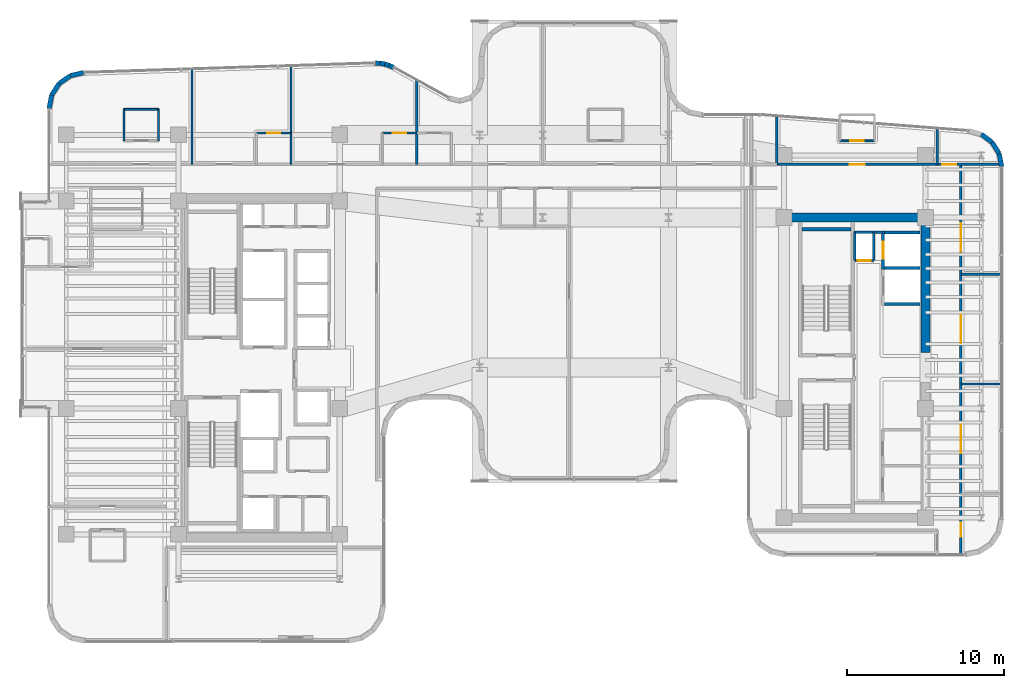
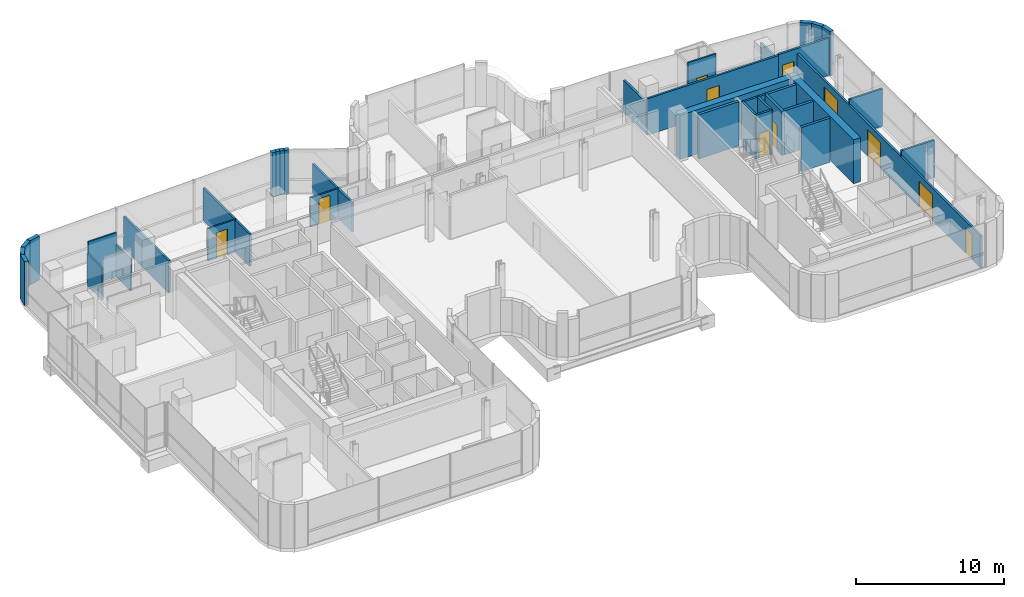
# One storey, part 30 of 36: 38 walls, 11 doors, 11 openings.
"""IFC4 building model written with IfcOpenShell, lengths in metres."""

from ifc_helpers import new_model, si_unit, direction, frame, frame_2d, origin, place, context, subcontext, project, spatial, rectangle, extrude, material, layer, layer_set, type_object, element, fill, save


model = new_model("IFC4")

# Units and contexts
model_context = context("Model", 3, precision=1e-05, world=origin(), true_north=direction((0.0, 1.0)))
body_context = subcontext(model_context, "Body", "Model", "MODEL_VIEW")
ifc_project = project(units=[si_unit("LENGTHUNIT", "METRE"), si_unit("AREAUNIT", "SQUARE_METRE"), si_unit("VOLUMEUNIT", "CUBIC_METRE"), si_unit("PLANEANGLEUNIT", "RADIAN"), si_unit("MASSUNIT", "GRAM", prefix="KILO")], contexts=[model_context])

# Site, building, storey
site_placement = place(None, origin())
site = spatial("IfcSite", under=ifc_project, at=site_placement, CompositionType="ELEMENT")
building_placement = place(site_placement, origin())
building = spatial("IfcBuilding", under=site, at=building_placement, Name="Valdorenza Pilgrim Sanctuary Tower", CompositionType="ELEMENT")
storey_placement = place(building_placement, frame((0.0, 0.0, 176.550048828125)))
storey = spatial("IfcBuildingStorey", under=building, at=storey_placement, Name="L45", CompositionType="ELEMENT", Elevation=176.550048828125)

# Wall, opening, door
ifc_material_1 = material(Name="Acoustic twin-stud gypsum partition", Category="gypsum")
ifc_layer_1 = layer(ifc_material_1, 0.159912109375, Name="Acoustic twin-stud gypsum partition")
ifc_layer_set_1 = layer_set([ifc_layer_1], Name="Acoustic twin-stud gypsum partition")
wall_type_1 = type_object("IfcWallType", Name="WAL-COR-160", PredefinedType="PARTITIONING", material=ifc_layer_set_1)
wall_1_placement = place(storey_placement, frame((20.35009765625, 6.800048828125, 0.0), z_axis=(0.0, 0.0, 1.0), x_axis=(1.0, 0.0, 0.0)))
wall_1 = element("IfcWall", 1, at=wall_1_placement, inside=storey, type_object=wall_type_1, Name="L45 Core B Riser South Wall", PredefinedType="PARTITIONING", context=body_context, shape_type="SweptSolid", body=[
    extrude(rectangle(XDim=1.199951171875, YDim=0.159912109375, at=frame_2d((0.60009765625, 0.0))), origin(), (0.0, 0.0, 1.0), 3.6298828125),
])
opening_1_placement = place(wall_1_placement, frame((0.175048828125, 0.0, 0.0)))
opening_1 = element("IfcOpeningElement", 2, at=opening_1_placement, cuts=wall_1, Name="Opening DR-RS1", PredefinedType="OPENING", context=body_context, shape_type="SweptSolid", body=[
    extrude(rectangle(XDim=0.85009765625, YDim=2.050048828125, at=frame_2d((0.425048828125, 1.02490234375))), frame((0.0, 0.0947265625, 0.0), z_axis=(0.0, -1.0, 0.0), x_axis=(1.0, 0.0, 0.0)), (0.0, 0.0, 1.0), 0.189697265625),
])
ifc_material_2 = material(Name="Painted galvanized steel", Category="steel")
door_type_1 = type_object("IfcDoorType", Name="DR-RSR-850", OperationType="NOTDEFINED", PredefinedType="DOOR", material=ifc_material_2)
door_1_placement = place(opening_1_placement, origin())
door_1 = element("IfcDoor", 3, at=door_1_placement, inside=storey, type_object=door_type_1, Name="L45 Core B Electrical Riser Door", OperationType="SINGLE_SWING_RIGHT", OverallHeight=2.050048828125, OverallWidth=0.85009765625, PredefinedType="DOOR", context=body_context, shape_type="SweptSolid", body=[
    extrude(rectangle(XDim=0.85009765625, YDim=2.050048828125, at=frame_2d((0.425048828125, 1.02490234375))), frame((0.0, 0.02490234375, 0.0), z_axis=(0.0, -1.0, 0.0), x_axis=(1.0, 0.0, 0.0)), (0.0, 0.0, 1.0), 0.050048828125),
])
fill(opening_1, door_1)

# Walls
for number, where, z_axis, x_axis, name in (
    (4, (21.550048828125, 6.800048828125, 0.0), (0.0, 0.0, 1.0), (0.0, 1.0, 0.0), "L45 Core B Riser East Wall"),
    (5, (20.35009765625, 6.800048828125, 0.0), (0.0, 0.0, 1.0), (0.0, 1.0, 0.0), "L45 Core B Riser West Wall"),
):
    element("IfcWall", number, at=place(storey_placement, frame(where, z_axis=z_axis, x_axis=x_axis)), inside=storey, type_object=wall_type_1, Name=name, PredefinedType="PARTITIONING", context=body_context, shape_type="SweptSolid", body=[
        extrude(rectangle(XDim=1.800048828125, YDim=0.159912109375, at=frame_2d((0.89990234375, 0.0))), origin(), (0.0, 0.0, 1.0), 3.6298828125),
    ])
wall_2_placement = place(storey_placement, frame((20.300048828125, 8.60009765625, 0.0), z_axis=(0.0, 0.0, 1.0), x_axis=(1.0, 0.0, 0.0)))
element("IfcWall", 6, at=wall_2_placement, inside=storey, type_object=wall_type_1, Name="L45 Core B Lift Hall North End Wall", PredefinedType="PARTITIONING", context=body_context, shape_type="SweptSolid", body=[
    extrude(rectangle(XDim=1.820068359375, YDim=0.159912109375, at=frame_2d((0.91015625, 0.0))), origin(), (0.0, 0.0, 1.0), 3.6298828125),
])

# Wall, opening, door
wall_3_placement = place(storey_placement, frame((15.39990234375, 12.919921875, 0.0), z_axis=(0.0, 0.0, 1.0), x_axis=(1.0, 0.0, 0.0)))
wall_3 = element("IfcWall", 7, at=wall_3_placement, inside=storey, type_object=wall_type_1, Name="L45 Wing B North Corridor Wall", PredefinedType="PARTITIONING", context=body_context, shape_type="SweptSolid", body=[
    extrude(rectangle(XDim=10.2001953125, YDim=0.159912109375, at=frame_2d((5.10009765625, 0.0))), origin(), (0.0, 0.0, 1.0), 3.00390625),
])
opening_2_placement = place(wall_3_placement, frame((4.625, 0.0, 0.0)))
opening_2 = element("IfcOpeningElement", 8, at=opening_2_placement, cuts=wall_3, Name="Opening DR-UN1", PredefinedType="OPENING", context=body_context, shape_type="SweptSolid", body=[
    extrude(rectangle(XDim=0.949951171875, YDim=2.14990234375, at=frame_2d((0.47509765625, 1.074951171875))), frame((0.0, 0.0947265625, 0.0), z_axis=(0.0, -1.0, 0.0), x_axis=(1.0, 0.0, 0.0)), (0.0, 0.0, 1.0), 0.189697265625),
])
ifc_material_3 = material(Name="Solid-core European oak timber", Category="wood")
door_type_2 = type_object("IfcDoorType", Name="DR-UNIT-950", OperationType="NOTDEFINED", PredefinedType="DOOR", material=ifc_material_3)
door_2_placement = place(opening_2_placement, frame((0.949951171875, 0.0, 0.0), z_axis=(0.0, 0.0, 1.0), x_axis=(-1.0, 0.0, 0.0)))
door_2 = element("IfcDoor", 9, at=door_2_placement, inside=storey, type_object=door_type_2, Name="L45 East North Guest Room L45-EN1 Entrance Door", OperationType="SINGLE_SWING_LEFT", OverallHeight=2.14990234375, OverallWidth=0.949951171875, PredefinedType="DOOR", context=body_context, shape_type="SweptSolid", body=[
    extrude(rectangle(XDim=0.949951171875, YDim=2.14990234375, at=frame_2d((0.47509765625, 1.074951171875))), frame((0.0, 0.02490234375, 0.0), z_axis=(0.0, -1.0, 0.0), x_axis=(1.0, 0.0, 0.0)), (0.0, 0.0, 1.0), 0.050048828125),
])
fill(opening_2, door_2)

# Walls
wall_4_placement = place(storey_placement, frame((15.39990234375, 12.919921875, 0.0), z_axis=(0.0, 0.0, 1.0), x_axis=(0.0, 1.0, 0.0)))
element("IfcWall", 10, at=wall_4_placement, inside=storey, type_object=wall_type_1, Name="L45 Wing B North West Wall", PredefinedType="PARTITIONING", context=body_context, shape_type="SweptSolid", body=[
    extrude(rectangle(XDim=3.08447265625, YDim=0.159912109375, at=frame_2d((1.542236328125, 0.0))), origin(), (0.0, 0.0, 1.0), 2.6650390625),
])
wall_5_placement = place(storey_placement, frame((25.60009765625, 12.919921875, 0.0), z_axis=(0.0, 0.0, 1.0), x_axis=(0.0, 1.0, 0.0)))
element("IfcWall", 11, at=wall_5_placement, inside=storey, type_object=wall_type_1, Name="L45 Wing B North East Wall", PredefinedType="PARTITIONING", context=body_context, shape_type="SweptSolid", body=[
    extrude(rectangle(XDim=2.294921875, YDim=0.159912109375, at=frame_2d((1.1474609375, 0.0))), origin(), (0.0, 0.0, 1.0), 2.6650390625),
])

# Wall, openings, doors
wall_6_placement = place(storey_placement, frame((27.10009765625, -11.889892578125, 0.0), z_axis=(0.0, 0.0, 1.0), x_axis=(0.0, 1.0, 0.0)))
wall_6 = element("IfcWall", 12, at=wall_6_placement, inside=storey, type_object=wall_type_1, Name="L45 Wing B East Corridor Wall", PredefinedType="PARTITIONING", context=body_context, shape_type="SweptSolid", body=[
    extrude(rectangle(XDim=24.809814453125, YDim=0.159912109375, at=frame_2d((12.40478515625, 0.0))), origin(), (0.0, 0.0, 1.0), 2.6650390625),
])
opening_3_placement = place(wall_6_placement, frame((1.1201171875, 0.0, 0.0)))
opening_3 = element("IfcOpeningElement", 13, at=opening_3_placement, cuts=wall_6, Name="Opening DR-RM1", PredefinedType="OPENING", context=body_context, shape_type="SweptSolid", body=[
    extrude(rectangle(XDim=0.89990234375, YDim=2.10009765625, at=frame_2d((0.449951171875, 1.050048828125))), frame((0.0, 0.0947265625, 0.0), z_axis=(0.0, -1.0, 0.0), x_axis=(1.0, 0.0, 0.0)), (0.0, 0.0, 1.0), 0.189697265625),
])
opening_4_placement = place(wall_6_placement, frame((6.4599609375, 0.0, 0.0)))
opening_4 = element("IfcOpeningElement", 14, at=opening_4_placement, cuts=wall_6, Name="Opening DR-HL1", PredefinedType="OPENING", context=body_context, shape_type="SweptSolid", body=[
    extrude(rectangle(XDim=1.800048828125, YDim=2.14990234375, at=frame_2d((0.89990234375, 1.074951171875))), frame((0.0, 0.0947265625, 0.0), z_axis=(0.0, -1.0, 0.0), x_axis=(1.0, 0.0, 0.0)), (0.0, 0.0, 1.0), 0.189697265625),
])
opening_5_placement = place(wall_6_placement, frame((13.43994140625, 0.0, 0.0)))
opening_5 = element("IfcOpeningElement", 15, at=opening_5_placement, cuts=wall_6, Name="Opening DR-HL1", PredefinedType="OPENING", context=body_context, shape_type="SweptSolid", body=[
    extrude(rectangle(XDim=1.800048828125, YDim=2.14990234375, at=frame_2d((0.89990234375, 1.074951171875))), frame((0.0, 0.0947265625, 0.0), z_axis=(0.0, -1.0, 0.0), x_axis=(1.0, 0.0, 0.0)), (0.0, 0.0, 1.0), 0.189697265625),
])
opening_6_placement = place(wall_6_placement, frame((19.27001953125, 0.0, 0.0)))
opening_6 = element("IfcOpeningElement", 16, at=opening_6_placement, cuts=wall_6, Name="Opening DR-HL1", PredefinedType="OPENING", context=body_context, shape_type="SweptSolid", body=[
    extrude(rectangle(XDim=1.800048828125, YDim=2.14990234375, at=frame_2d((0.89990234375, 1.074951171875))), frame((0.0, 0.0947265625, 0.0), z_axis=(0.0, -1.0, 0.0), x_axis=(1.0, 0.0, 0.0)), (0.0, 0.0, 1.0), 0.189697265625),
])
ifc_material_4 = material(Name="Acoustic oak and vision-glass double door", Category="glass")
door_type_3 = type_object("IfcDoorType", Name="DR-HALL-1800", OperationType="NOTDEFINED", PredefinedType="DOOR", material=ifc_material_4)
door_3_placement = place(opening_4_placement, origin())
door_3 = element("IfcDoor", 17, at=door_3_placement, inside=storey, type_object=door_type_3, Name="L45 East Reading Lounge L45-EB2 Door", OperationType="DOUBLE_DOOR_SINGLE_SWING", OverallHeight=2.14990234375, OverallWidth=1.800048828125, PredefinedType="DOOR", context=body_context, shape_type="SweptSolid", body=[
    extrude(rectangle(XDim=1.800048828125, YDim=2.14990234375, at=frame_2d((0.89990234375, 1.074951171875))), frame((0.0, 0.02490234375, 0.0), z_axis=(0.0, -1.0, 0.0), x_axis=(1.0, 0.0, 0.0)), (0.0, 0.0, 1.0), 0.050048828125),
])
fill(opening_4, door_3)
door_4_placement = place(opening_5_placement, frame((1.800048828125, 0.0, 0.0), z_axis=(0.0, 0.0, 1.0), x_axis=(-1.0, 0.0, 0.0)))
door_4 = element("IfcDoor", 18, at=door_4_placement, inside=storey, type_object=door_type_3, Name="L45 East Reading Lounge L45-EB3 Door", OperationType="DOUBLE_DOOR_SINGLE_SWING", OverallHeight=2.14990234375, OverallWidth=1.800048828125, PredefinedType="DOOR", context=body_context, shape_type="SweptSolid", body=[
    extrude(rectangle(XDim=1.800048828125, YDim=2.14990234375, at=frame_2d((0.89990234375, 1.074951171875))), frame((0.0, 0.02490234375, 0.0), z_axis=(0.0, -1.0, 0.0), x_axis=(1.0, 0.0, 0.0)), (0.0, 0.0, 1.0), 0.050048828125),
])
fill(opening_5, door_4)
door_5_placement = place(opening_6_placement, origin())
door_5 = element("IfcDoor", 19, at=door_5_placement, inside=storey, type_object=door_type_3, Name="L45 East Reading Lounge L45-EB4 Door", OperationType="DOUBLE_DOOR_SINGLE_SWING", OverallHeight=2.14990234375, OverallWidth=1.800048828125, PredefinedType="DOOR", context=body_context, shape_type="SweptSolid", body=[
    extrude(rectangle(XDim=1.800048828125, YDim=2.14990234375, at=frame_2d((0.89990234375, 1.074951171875))), frame((0.0, 0.02490234375, 0.0), z_axis=(0.0, -1.0, 0.0), x_axis=(1.0, 0.0, 0.0)), (0.0, 0.0, 1.0), 0.050048828125),
])
fill(opening_6, door_5)
door_type_4 = type_object("IfcDoorType", Name="DR-ROOM-900", OperationType="NOTDEFINED", PredefinedType="DOOR", material=ifc_material_3)
door_6_placement = place(opening_3_placement, frame((0.89990234375, 0.0, 0.0), z_axis=(0.0, 0.0, 1.0), x_axis=(-1.0, 0.0, 0.0)))
door_6 = element("IfcDoor", 20, at=door_6_placement, inside=storey, type_object=door_type_4, Name="L45 East Reading Lounge L45-EB1 Door", OperationType="SINGLE_SWING_LEFT", OverallHeight=2.10009765625, OverallWidth=0.89990234375, PredefinedType="DOOR", context=body_context, shape_type="SweptSolid", body=[
    extrude(rectangle(XDim=0.89990234375, YDim=2.10009765625, at=frame_2d((0.449951171875, 1.050048828125))), frame((0.0, 0.02490234375, 0.0), z_axis=(0.0, -1.0, 0.0), x_axis=(1.0, 0.0, 0.0)), (0.0, 0.0, 1.0), 0.050048828125),
])
fill(opening_3, door_6)

# Wall, opening, door
wall_7_placement = place(storey_placement, frame((25.60009765625, 12.919921875, 0.0), z_axis=(0.0, 0.0, 1.0), x_axis=(1.0, 0.0, 0.0)))
wall_7 = element("IfcWall", 21, at=wall_7_placement, inside=storey, type_object=wall_type_1, Name="L45 East Wing NE Corner South Wall", PredefinedType="PARTITIONING", context=body_context, shape_type="SweptSolid", body=[
    extrude(rectangle(XDim=3.93408203125, YDim=0.159912109375, at=frame_2d((1.967041015625, 0.0))), origin(), (0.0, 0.0, 1.0), 3.075927734375),
])
opening_7_placement = place(wall_7_placement, frame((0.300048828125, 0.0, 0.0)))
opening_7 = element("IfcOpeningElement", 22, at=opening_7_placement, cuts=wall_7, Name="Opening DR-RM1", PredefinedType="OPENING", context=body_context, shape_type="SweptSolid", body=[
    extrude(rectangle(XDim=0.89990234375, YDim=2.10009765625, at=frame_2d((0.449951171875, 1.050048828125))), frame((0.0, 0.0947265625, 0.0), z_axis=(0.0, -1.0, 0.0), x_axis=(1.0, 0.0, 0.0)), (0.0, 0.0, 1.0), 0.189697265625),
])
door_7_placement = place(opening_7_placement, origin())
door_7 = element("IfcDoor", 23, at=door_7_placement, inside=storey, type_object=door_type_4, Name="L45 East North Alcove Office L45 Door", OperationType="SINGLE_SWING_RIGHT", OverallHeight=2.10009765625, OverallWidth=0.89990234375, PredefinedType="DOOR", context=body_context, shape_type="SweptSolid", body=[
    extrude(rectangle(XDim=0.89990234375, YDim=2.10009765625, at=frame_2d((0.449951171875, 1.050048828125))), frame((0.0, 0.02490234375, 0.0), z_axis=(0.0, -1.0, 0.0), x_axis=(1.0, 0.0, 0.0)), (0.0, 0.0, 1.0), 0.050048828125),
])
fill(opening_7, door_7)

# Walls
ifc_material_5 = material(Name="Concrete C50/60", Category="concrete")
ifc_layer_2 = layer(ifc_material_5, 0.550048828125, Name="Concrete C50/60")
ifc_layer_set_2 = layer_set([ifc_layer_2], Name="Concrete C50/60")
wall_type_2 = type_object("IfcWallType", Name="WAL-COR-550", PredefinedType="SHEAR", material=ifc_layer_set_2)
wall_8_placement = place(storey_placement, frame((24.85009765625, 0.949951171875, 0.0), z_axis=(0.0, 0.0, 1.0), x_axis=(0.0, 1.0, 0.0)))
element("IfcWall", 24, at=wall_8_placement, inside=storey, type_object=wall_type_2, Name="L45 Split Core B Shear Wall EN", PredefinedType="SHEAR", context=body_context, shape_type="SweptSolid", body=[
    extrude(rectangle(XDim=8.875, YDim=0.550048828125, at=frame_2d((4.4375, 0.0))), origin(), (0.0, 0.0, 1.0), 3.6298828125),
])
wall_9_placement = place(storey_placement, frame((15.85009765625, 9.550048828125, 0.0), z_axis=(0.0, 0.0, 1.0), x_axis=(1.0, 0.0, 0.0)))
element("IfcWall", 25, at=wall_9_placement, inside=storey, type_object=wall_type_2, Name="L45 Split Core B Shear Wall N", PredefinedType="SHEAR", context=body_context, shape_type="SweptSolid", body=[
    extrude(rectangle(XDim=9.0, YDim=0.550048828125, at=frame_2d((4.5, 0.0))), origin(), (0.0, 0.0, 1.0), 3.6298828125),
])
ifc_material_6 = material(Name="Honed travertine limestone", Category="masonry")
ifc_layer_3 = layer(ifc_material_6, 0.300048828125, Name="Honed travertine limestone")
ifc_layer_set_3 = layer_set([ifc_layer_3], Name="Honed travertine limestone")
wall_type_3 = type_object("IfcWallType", Name="WAL-EXT-300", PredefinedType="SOLIDWALL", material=ifc_layer_set_3)
wall_10_placement = place(storey_placement, frame((-30.889892578125, 16.46630859375, 0.0), z_axis=(0.0, 0.0, 1.0), x_axis=(0.191128020887, 0.981565117367, 0.0)))
element("IfcWall", 26, at=wall_10_placement, inside=storey, type_object=wall_type_3, Name="L45 Rounded Wind-Corner Stone Pier 2", PredefinedType="SOLIDWALL", context=body_context, shape_type="SweptSolid", body=[
    extrude(rectangle(XDim=0.88525390625, YDim=0.300048828125, at=frame_2d((0.442626953125, 0.0))), origin(), (0.0, 0.0, 1.0), 3.6298828125),
])
wall_11_placement = place(storey_placement, frame((-30.720703125, 17.335205078125, 0.0), z_axis=(0.0, 0.0, 1.0), x_axis=(0.545322000684, 0.838226649284, 0.0)))
element("IfcWall", 27, at=wall_11_placement, inside=storey, type_object=wall_type_3, Name="L45 Rounded Wind-Corner Stone Pier 3", PredefinedType="SOLIDWALL", context=body_context, shape_type="SweptSolid", body=[
    extrude(rectangle(XDim=0.874267578125, YDim=0.300048828125, at=frame_2d((0.43701171875, 0.0))), origin(), (0.0, 0.0, 1.0), 3.6298828125),
])
wall_12_placement = place(storey_placement, frame((-30.243896484375, 18.068115234375, 0.0), z_axis=(0.0, 0.0, 1.0), x_axis=(0.820005059444, 0.572356272339, 0.0)))
element("IfcWall", 28, at=wall_12_placement, inside=storey, type_object=wall_type_3, Name="L45 Rounded Wind-Corner Stone Pier 4", PredefinedType="SOLIDWALL", context=body_context, shape_type="SweptSolid", body=[
    extrude(rectangle(XDim=0.87451171875, YDim=0.300048828125, at=frame_2d((0.437255859375, 0.0))), origin(), (0.0, 0.0, 1.0), 3.6298828125),
])
wall_13_placement = place(storey_placement, frame((-29.52685546875, 18.568603515625, 0.0), z_axis=(0.0, 0.0, 1.0), x_axis=(0.974798570829, 0.223086858218, 0.0)))
element("IfcWall", 29, at=wall_13_placement, inside=storey, type_object=wall_type_3, Name="L45 Rounded Wind-Corner Stone Pier 5", PredefinedType="SOLIDWALL", context=body_context, shape_type="SweptSolid", body=[
    extrude(rectangle(XDim=0.88525390625, YDim=0.300048828125, at=frame_2d((0.442626953125, 0.0))), origin(), (0.0, 0.0, 1.0), 3.6298828125),
])
wall_14_placement = place(storey_placement, frame((-10.157958984375, 19.368408203125, 0.0), z_axis=(0.0, 0.0, 1.0), x_axis=(0.999425494718, -0.03389218949, 0.0)))
element("IfcWall", 30, at=wall_14_placement, inside=storey, type_object=wall_type_3, Name="L45 Rounded Wind-Corner Stone Pier 7", PredefinedType="SOLIDWALL", context=body_context, shape_type="SweptSolid", body=[
    extrude(rectangle(XDim=0.309814453125, YDim=0.300048828125, at=frame_2d((0.15478515625, 0.0))), origin(), (0.0, 0.0, 1.0), 3.6298828125),
])
for number, where, z_axis, x_axis, name in (
    (31, (-9.848388671875, 19.35791015625, 0.0), (0.0, 0.0, 1.0), (0.985894009724, -0.167370850479, 0.0), "L45 Rounded Wind-Corner Stone Pier 8"),
    (32, (-9.54638671875, 19.306640625, 0.0), (0.0, 0.0, 1.0), (0.95479144403, -0.297276467966, 0.0), "L45 Rounded Wind-Corner Stone Pier 9"),
):
    element("IfcWall", number, at=place(storey_placement, frame(where, z_axis=z_axis, x_axis=x_axis)), inside=storey, type_object=wall_type_3, Name=name, PredefinedType="SOLIDWALL", context=body_context, shape_type="SweptSolid", body=[
        extrude(rectangle(XDim=0.306396484375, YDim=0.300048828125, at=frame_2d((0.1533203125, 0.0))), origin(), (0.0, 0.0, 1.0), 3.6298828125),
    ])
wall_15_placement = place(storey_placement, frame((-9.25390625, 19.215576171875, 0.0), z_axis=(0.0, 0.0, 1.0), x_axis=(0.906524902388, -0.42215234377, 0.0)))
element("IfcWall", 33, at=wall_15_placement, inside=storey, type_object=wall_type_3, Name="L45 Rounded Wind-Corner Stone Pier 10", PredefinedType="SOLIDWALL", context=body_context, shape_type="SweptSolid", body=[
    extrude(rectangle(XDim=0.31005859375, YDim=0.300048828125, at=frame_2d((0.155029296875, 0.0))), origin(), (0.0, 0.0, 1.0), 3.6298828125),
])
wall_16_placement = place(storey_placement, frame((28.396484375, 14.838134765625, 0.0), z_axis=(0.0, 0.0, 1.0), x_axis=(0.803847397988, -0.594835574548, 0.0)))
element("IfcWall", 34, at=wall_16_placement, inside=storey, type_object=wall_type_3, Name="L45 Rounded Wind-Corner Stone Pier 34", PredefinedType="SOLIDWALL", context=body_context, shape_type="SweptSolid", body=[
    extrude(rectangle(XDim=0.84912109375, YDim=0.300048828125, at=frame_2d((0.424560546875, 0.0))), origin(), (0.0, 0.0, 1.0), 3.6298828125),
])
wall_17_placement = place(storey_placement, frame((29.0791015625, 14.3330078125, 0.0), z_axis=(0.0, 0.0, 1.0), x_axis=(0.53134147342, -0.847157741288, 0.0)))
element("IfcWall", 35, at=wall_17_placement, inside=storey, type_object=wall_type_3, Name="L45 Rounded Wind-Corner Stone Pier 35", PredefinedType="SOLIDWALL", context=body_context, shape_type="SweptSolid", body=[
    extrude(rectangle(XDim=0.849609375, YDim=0.300048828125, at=frame_2d((0.4248046875, 0.0))), origin(), (0.0, 0.0, 1.0), 3.6298828125),
])
wall_18_placement = place(storey_placement, frame((29.530517578125, 13.61328125, 0.0), z_axis=(0.0, 0.0, 1.0), x_axis=(0.185402686284, -0.982662629756, 0.0)))
element("IfcWall", 36, at=wall_18_placement, inside=storey, type_object=wall_type_3, Name="L45 Rounded Wind-Corner Stone Pier 36", PredefinedType="SOLIDWALL", context=body_context, shape_type="SweptSolid", body=[
    extrude(rectangle(XDim=0.85986328125, YDim=0.300048828125, at=frame_2d((0.429931640625, 0.0))), origin(), (0.0, 0.0, 1.0), 3.6298828125),
])
ifc_material_7 = material(Name="Moisture-resistant gypsum partition", Category="gypsum")
ifc_layer_4 = layer(ifc_material_7, 0.1201171875, Name="Moisture-resistant gypsum partition")
ifc_layer_set_4 = layer_set([ifc_layer_4], Name="Moisture-resistant gypsum partition")
wall_type_4 = type_object("IfcWallType", Name="WAL-INT-120", PredefinedType="PARTITIONING", material=ifc_layer_set_4)
for number, where, z_axis, x_axis, name in (
    (37, (-26.125, 14.419921875, 0.0), (0.0, 0.0, 1.0), (0.0, 1.0, 0.0), "L45 North Guest Room L45-N1 En-suite West Wall"),
    (38, (-23.925048828125, 14.419921875, 0.0), (0.0, 0.0, 1.0), (0.0, 1.0, 0.0), "L45 North Guest Room L45-N1 En-suite East Wall"),
):
    element("IfcWall", number, at=place(storey_placement, frame(where, z_axis=z_axis, x_axis=x_axis)), inside=storey, type_object=wall_type_4, Name=name, PredefinedType="PARTITIONING", context=body_context, shape_type="SweptSolid", body=[
        extrude(rectangle(XDim=2.0, YDim=0.1201171875, at=frame_2d((1.0, 0.0))), origin(), (0.0, 0.0, 1.0), 2.6650390625),
    ])
wall_19_placement = place(storey_placement, frame((-26.125, 16.419921875, 0.0), z_axis=(0.0, 0.0, 1.0), x_axis=(1.0, 0.0, 0.0)))
element("IfcWall", 39, at=wall_19_placement, inside=storey, type_object=wall_type_4, Name="L45 North Guest Room L45-N1 En-suite Back Wall", PredefinedType="PARTITIONING", context=body_context, shape_type="SweptSolid", body=[
    extrude(rectangle(XDim=2.199951171875, YDim=0.1201171875, at=frame_2d((1.10009765625, 0.0))), origin(), (0.0, 0.0, 1.0), 3.6298828125),
])

# Wall, opening, door
wall_20_placement = place(storey_placement, frame((-17.699951171875, 14.919921875, 0.0), z_axis=(0.0, 0.0, 1.0), x_axis=(1.0, 0.0, 0.0)))
wall_20 = element("IfcWall", 40, at=wall_20_placement, inside=storey, type_object=wall_type_4, Name="L45 North Guest Room L45-N2 En-suite Door Wall", PredefinedType="PARTITIONING", context=body_context, shape_type="SweptSolid", body=[
    extrude(rectangle(XDim=2.199951171875, YDim=0.1201171875, at=frame_2d((1.10009765625, 0.0))), origin(), (0.0, 0.0, 1.0), 2.6650390625),
])
opening_8_placement = place(wall_20_placement, frame((0.675048828125, 0.0, 0.0)))
opening_8 = element("IfcOpeningElement", 41, at=opening_8_placement, cuts=wall_20, Name="Opening DR-WC1", PredefinedType="OPENING", context=body_context, shape_type="SweptSolid", body=[
    extrude(rectangle(XDim=0.85009765625, YDim=2.10009765625, at=frame_2d((0.425048828125, 1.050048828125))), frame((0.0, 0.074951171875, 0.0), z_axis=(0.0, -1.0, 0.0), x_axis=(1.0, 0.0, 0.0)), (0.0, 0.0, 1.0), 0.14990234375),
])
ifc_material_8 = material(Name="Moisture-resistant lacquered timber", Category="wood")
door_type_5 = type_object("IfcDoorType", Name="DR-BATH-850", OperationType="NOTDEFINED", PredefinedType="DOOR", material=ifc_material_8)
door_8_placement = place(opening_8_placement, origin())
door_8 = element("IfcDoor", 42, at=door_8_placement, inside=storey, type_object=door_type_5, Name="L45 North Guest Room L45-N2 En-suite Bathroom Door", OperationType="SINGLE_SWING_RIGHT", OverallHeight=2.10009765625, OverallWidth=0.85009765625, PredefinedType="DOOR", context=body_context, shape_type="SweptSolid", body=[
    extrude(rectangle(XDim=0.85009765625, YDim=2.10009765625, at=frame_2d((0.425048828125, 1.050048828125))), frame((0.0, 0.02490234375, 0.0), z_axis=(0.0, -1.0, 0.0), x_axis=(1.0, 0.0, 0.0)), (0.0, 0.0, 1.0), 0.050048828125),
])
fill(opening_8, door_8)

wall_21_placement = place(storey_placement, frame((-9.699951171875, 14.919921875, 0.0), z_axis=(0.0, 0.0, 1.0), x_axis=(1.0, 0.0, 0.0)))
wall_21 = element("IfcWall", 43, at=wall_21_placement, inside=storey, type_object=wall_type_4, Name="L45 North Guest Room L45-N3 En-suite Door Wall", PredefinedType="PARTITIONING", context=body_context, shape_type="SweptSolid", body=[
    extrude(rectangle(XDim=2.199951171875, YDim=0.1201171875, at=frame_2d((1.10009765625, 0.0))), origin(), (0.0, 0.0, 1.0), 2.4150390625),
])
opening_9_placement = place(wall_21_placement, frame((0.675048828125, 0.0, 0.0)))
opening_9 = element("IfcOpeningElement", 44, at=opening_9_placement, cuts=wall_21, Name="Opening DR-WC1", PredefinedType="OPENING", context=body_context, shape_type="SweptSolid", body=[
    extrude(rectangle(XDim=0.85009765625, YDim=2.10009765625, at=frame_2d((0.425048828125, 1.050048828125))), frame((0.0, 0.074951171875, 0.0), z_axis=(0.0, -1.0, 0.0), x_axis=(1.0, 0.0, 0.0)), (0.0, 0.0, 1.0), 0.14990234375),
])
door_9_placement = place(opening_9_placement, origin())
door_9 = element("IfcDoor", 45, at=door_9_placement, inside=storey, type_object=door_type_5, Name="L45 North Guest Room L45-N3 En-suite Bathroom Door", OperationType="SINGLE_SWING_RIGHT", OverallHeight=2.10009765625, OverallWidth=0.85009765625, PredefinedType="DOOR", context=body_context, shape_type="SweptSolid", body=[
    extrude(rectangle(XDim=0.85009765625, YDim=2.10009765625, at=frame_2d((0.425048828125, 1.050048828125))), frame((0.0, 0.02490234375, 0.0), z_axis=(0.0, -1.0, 0.0), x_axis=(1.0, 0.0, 0.0)), (0.0, 0.0, 1.0), 0.050048828125),
])
fill(opening_9, door_9)

wall_22_placement = place(storey_placement, frame((19.39990234375, 14.419921875, 0.0), z_axis=(0.0, 0.0, 1.0), x_axis=(1.0, 0.0, 0.0)))
wall_22 = element("IfcWall", 46, at=wall_22_placement, inside=storey, type_object=wall_type_4, Name="L45 East North Guest Room L45-EN1 En-suite Door Wall", PredefinedType="PARTITIONING", context=body_context, shape_type="SweptSolid", body=[
    extrude(rectangle(XDim=2.2001953125, YDim=0.1201171875, at=frame_2d((1.10009765625, 0.0))), origin(), (0.0, 0.0, 1.0), 3.6298828125),
])
opening_10_placement = place(wall_22_placement, frame((0.675048828125, 0.0, 0.0)))
opening_10 = element("IfcOpeningElement", 47, at=opening_10_placement, cuts=wall_22, Name="Opening DR-WC1", PredefinedType="OPENING", context=body_context, shape_type="SweptSolid", body=[
    extrude(rectangle(XDim=0.85009765625, YDim=2.10009765625, at=frame_2d((0.425048828125, 1.050048828125))), frame((0.0, 0.074951171875, 0.0), z_axis=(0.0, -1.0, 0.0), x_axis=(1.0, 0.0, 0.0)), (0.0, 0.0, 1.0), 0.14990234375),
])
door_10_placement = place(opening_10_placement, origin())
door_10 = element("IfcDoor", 48, at=door_10_placement, inside=storey, type_object=door_type_5, Name="L45 East North Guest Room L45-EN1 En-suite Bathroom Door", OperationType="SINGLE_SWING_RIGHT", OverallHeight=2.10009765625, OverallWidth=0.85009765625, PredefinedType="DOOR", context=body_context, shape_type="SweptSolid", body=[
    extrude(rectangle(XDim=0.85009765625, YDim=2.10009765625, at=frame_2d((0.425048828125, 1.050048828125))), frame((0.0, 0.02490234375, 0.0), z_axis=(0.0, -1.0, 0.0), x_axis=(1.0, 0.0, 0.0)), (0.0, 0.0, 1.0), 0.050048828125),
])
fill(opening_10, door_10)

# Walls
ifc_material_9 = material(Name="Autoclaved aerated concrete blockwork", Category="masonry")
ifc_layer_5 = layer(ifc_material_9, 0.199951171875, Name="Autoclaved aerated concrete blockwork")
ifc_layer_set_5 = layer_set([ifc_layer_5], Name="Autoclaved aerated concrete blockwork")
wall_type_5 = type_object("IfcWallType", Name="WAL-SHF-200", PredefinedType="MOVABLE", material=ifc_layer_set_5)
for number, where, z_axis, x_axis, name in (
    (49, (22.25, 4.050048828125, 0.0), (0.0, 0.0, 1.0), (1.0, 0.0, 0.0), "L45 Lift PL-07 Hoistway Wall South"),
    (50, (22.25, 6.324951171875, 0.0), (0.0, 0.0, 1.0), (1.0, 0.0, 0.0), "L45 Lift PL-07 Hoistway Wall North"),
):
    element("IfcWall", number, at=place(storey_placement, frame(where, z_axis=z_axis, x_axis=x_axis)), inside=storey, type_object=wall_type_5, Name=name, PredefinedType="MOVABLE", context=body_context, shape_type="SweptSolid", body=[
        extrude(rectangle(XDim=2.22998046875, YDim=0.199951171875, at=frame_2d((1.114990234375, 0.0))), origin(), (0.0, 0.0, 1.0), 3.6298828125),
    ])

# Wall, opening, door
wall_23_placement = place(storey_placement, frame((22.14990234375, 6.22509765625, 0.0), z_axis=(0.0, 0.0, 1.0), x_axis=(0.0, 1.0, 0.0)))
wall_23 = element("IfcWall", 51, at=wall_23_placement, inside=storey, type_object=wall_type_5, Name="L45 Lift PL-08 Hoistway Wall West", PredefinedType="MOVABLE", context=body_context, shape_type="SweptSolid", body=[
    extrude(rectangle(XDim=2.474853515625, YDim=0.199951171875, at=frame_2d((1.2373046875, 0.0))), origin(), (0.0, 0.0, 1.0), 3.6298828125),
])
opening_11_placement = place(wall_23_placement, frame((0.6875, 0.0, 0.0)))
opening_11 = element("IfcOpeningElement", 52, at=opening_11_placement, cuts=wall_23, Name="Opening LD-01", PredefinedType="OPENING", context=body_context, shape_type="SweptSolid", body=[
    extrude(rectangle(XDim=1.10009765625, YDim=2.10009765625, at=frame_2d((0.550048828125, 1.050048828125))), frame((0.0, 0.11474609375, 0.0), z_axis=(0.0, -1.0, 0.0), x_axis=(1.0, 0.0, 0.0)), (0.0, 0.0, 1.0), 0.229736328125),
])
ifc_material_10 = material(Name="Brushed stainless steel Grade 316", Category="steel")
door_type_6 = type_object("IfcDoorType", Name="DR-LFT-1100", OperationType="DOUBLE_DOOR_SLIDING", PredefinedType="DOOR", material=ifc_material_10)
door_11_placement = place(opening_11_placement, origin())
door_11 = element("IfcDoor", 53, at=door_11_placement, inside=storey, type_object=door_type_6, Name="L45 Lift PL-08 Sliding Landing Door", OperationType="DOUBLE_DOOR_SLIDING", OverallHeight=2.10009765625, OverallWidth=1.10009765625, PredefinedType="DOOR", context=body_context, shape_type="SweptSolid", body=[
    extrude(rectangle(XDim=1.10009765625, YDim=2.10009765625, at=frame_2d((0.550048828125, 1.050048828125))), frame((0.0, 0.02490234375, 0.0), z_axis=(0.0, -1.0, 0.0), x_axis=(1.0, 0.0, 0.0)), (0.0, 0.0, 1.0), 0.050048828125),
])
fill(opening_11, door_11)

# Walls
wall_24_placement = place(storey_placement, frame((22.25, 8.60009765625, 0.0), z_axis=(0.0, 0.0, 1.0), x_axis=(1.0, 0.0, 0.0)))
element("IfcWall", 54, at=wall_24_placement, inside=storey, type_object=wall_type_5, Name="L45 Lift PL-08 Hoistway Wall North", PredefinedType="MOVABLE", context=body_context, shape_type="SweptSolid", body=[
    extrude(rectangle(XDim=2.22998046875, YDim=0.199951171875, at=frame_2d((1.114990234375, 0.0))), origin(), (0.0, 0.0, 1.0), 3.6298828125),
])
ifc_material_11 = material(Name="Concrete C40/50", Category="concrete")
ifc_layer_6 = layer(ifc_material_11, 0.219970703125, Name="Concrete C40/50")
ifc_layer_set_6 = layer_set([ifc_layer_6], Name="Concrete C40/50")
wall_type_6 = type_object("IfcWallType", Name="WAL-STR-SHF-220", PredefinedType="SHEAR", material=ifc_layer_set_6)
wall_25_placement = place(storey_placement, frame((17.0, 8.81005859375, 0.0), z_axis=(0.0, 0.0, 1.0), x_axis=(1.0, 0.0, 0.0)))
element("IfcWall", 55, at=wall_25_placement, inside=storey, type_object=wall_type_6, Name="L45 ST-B1 Structural Stairwell Wall N", PredefinedType="SHEAR", context=body_context, shape_type="SweptSolid", body=[
    extrude(rectangle(XDim=3.110107421875, YDim=0.219970703125, at=frame_2d((1.55517578125, 0.0))), origin(), (0.0, 0.0, 1.0), 3.6298828125),
])
ifc_layer_7 = layer(ifc_material_1, 0.14990234375, Name="Acoustic twin-stud gypsum partition")
ifc_layer_set_7 = layer_set([ifc_layer_7], Name="Acoustic twin-stud gypsum partition")
wall_type_7 = type_object("IfcWallType", Name="WAL-UNT-150", PredefinedType="PARTITIONING", material=ifc_layer_set_7)
wall_26_placement = place(storey_placement, frame((-21.800048828125, 12.919921875, 0.0), z_axis=(0.0, 0.0, 1.0), x_axis=(0.0, 1.0, 0.0)))
element("IfcWall", 56, at=wall_26_placement, inside=storey, type_object=wall_type_7, Name="L45 North Demising 1", PredefinedType="PARTITIONING", context=body_context, shape_type="SweptSolid", body=[
    extrude(rectangle(XDim=6.069580078125, YDim=0.14990234375, at=frame_2d((3.03466796875, 0.0))), origin(), (0.0, 0.0, 1.0), 2.6650390625),
])
wall_27_placement = place(storey_placement, frame((-15.5, 12.919921875, 0.0), z_axis=(0.0, 0.0, 1.0), x_axis=(0.0, 1.0, 0.0)))
element("IfcWall", 57, at=wall_27_placement, inside=storey, type_object=wall_type_7, Name="L45 North Demising 2", PredefinedType="PARTITIONING", context=body_context, shape_type="SweptSolid", body=[
    extrude(rectangle(XDim=6.274658203125, YDim=0.14990234375, at=frame_2d((3.13720703125, 0.0))), origin(), (0.0, 0.0, 1.0), 2.6650390625),
])
wall_28_placement = place(storey_placement, frame((-7.5, 12.919921875, 0.0), z_axis=(0.0, 0.0, 1.0), x_axis=(0.0, 1.0, 0.0)))
element("IfcWall", 58, at=wall_28_placement, inside=storey, type_object=wall_type_7, Name="L45 North Demising 3", PredefinedType="PARTITIONING", context=body_context, shape_type="SweptSolid", body=[
    extrude(rectangle(XDim=5.3544921875, YDim=0.14990234375, at=frame_2d((2.67724609375, 0.0))), origin(), (0.0, 0.0, 1.0), 2.4150390625),
])
for number, where, z_axis, x_axis, name in (
    (59, (27.10009765625, -1.0400390625, 0.0), (0.0, 0.0, 1.0), (1.0, 0.0, 0.0), "L45 East Reading Lounge L45-EB3 Demising Wall"),
    (60, (27.10009765625, 5.93994140625, 0.0), (0.0, 0.0, 1.0), (1.0, 0.0, 0.0), "L45 East Reading Lounge L45-EB4 Demising Wall"),
):
    element("IfcWall", number, at=place(storey_placement, frame(where, z_axis=z_axis, x_axis=x_axis)), inside=storey, type_object=wall_type_7, Name=name, PredefinedType="PARTITIONING", context=body_context, shape_type="SweptSolid", body=[
        extrude(rectangle(XDim=2.58984375, YDim=0.14990234375, at=frame_2d((1.294921875, 0.0))), origin(), (0.0, 0.0, 1.0), 3.075927734375),
    ])

save(model, "model.ifc")
